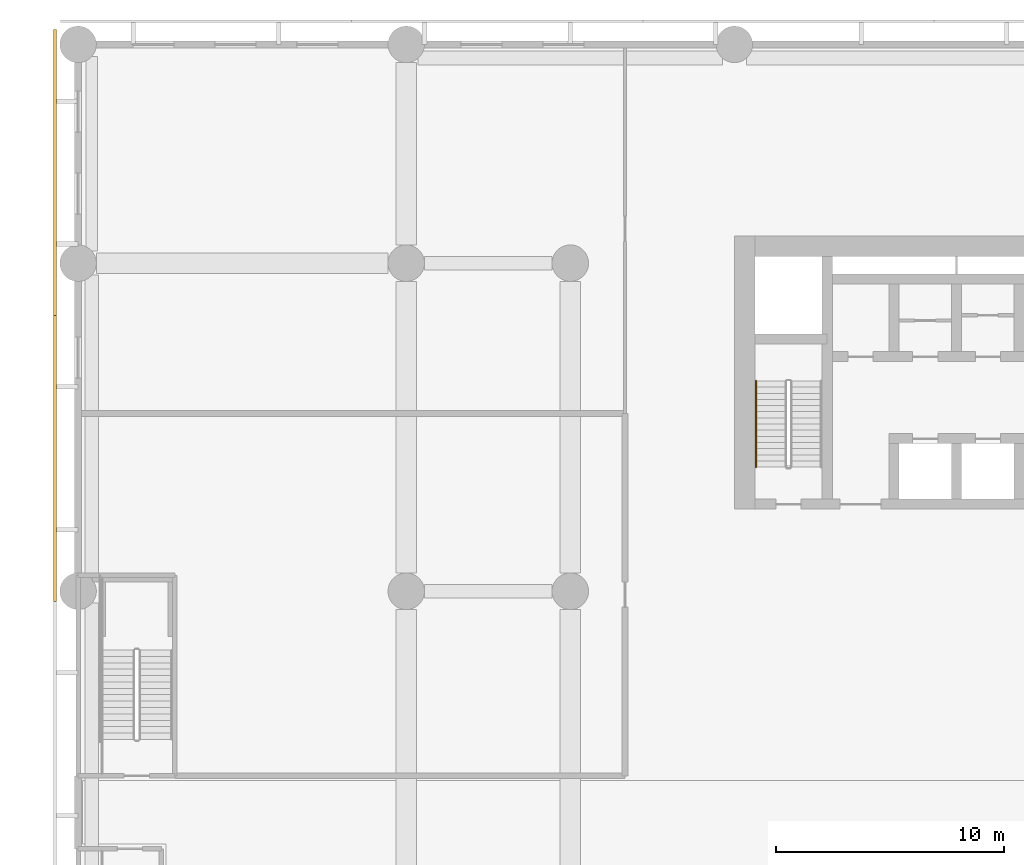
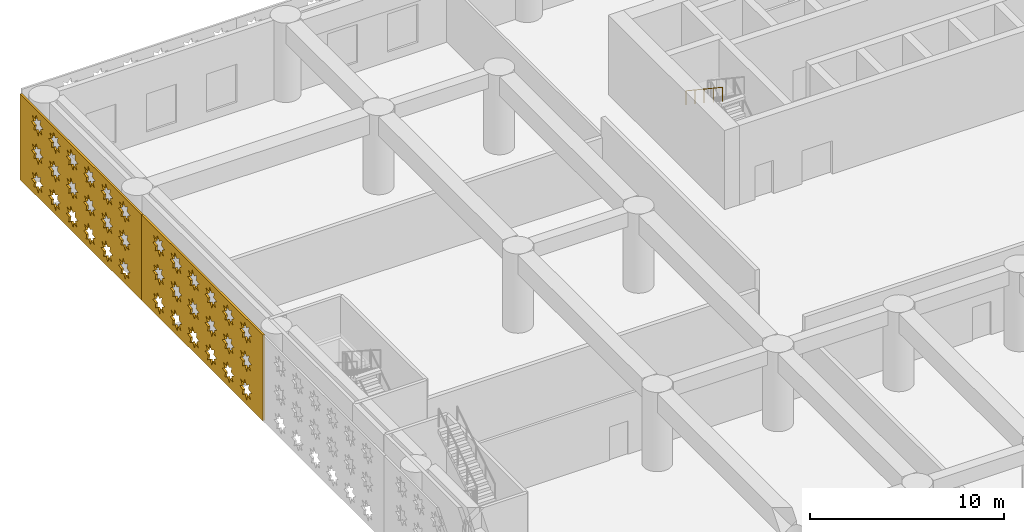
# One storey, part 24 of 30: 2 coverings, 1 railing.
"""IFC4 building model written with IfcOpenShell, lengths in metres."""

from ifc_helpers import new_model, si_unit, direction, frame, origin, origin_2d, place, context, subcontext, project, spatial, polyline, circle, outline, extrude, material, layer, layer_set, type_object, element, save


model = new_model("IFC4")

# Units and contexts
model_context = context("Model", 3, precision=1e-05, world=origin(), true_north=direction((0.0, 1.0)))
body_context = subcontext(model_context, "Body", "Model", "MODEL_VIEW")
ifc_project = project(units=[si_unit("LENGTHUNIT", "METRE"), si_unit("AREAUNIT", "SQUARE_METRE"), si_unit("VOLUMEUNIT", "CUBIC_METRE"), si_unit("PLANEANGLEUNIT", "RADIAN"), si_unit("MASSUNIT", "GRAM", prefix="KILO")], contexts=[model_context])

# Site, building, storey
site_placement = place(None, origin())
site = spatial("IfcSite", under=ifc_project, at=site_placement, CompositionType="ELEMENT")
building_placement = place(site_placement, origin())
building = spatial("IfcBuilding", under=site, at=building_placement, Name="Saffron Iwan Residences", CompositionType="ELEMENT")
storey_placement = place(building_placement, frame((0.0, 0.0, 7.800048828125)))
storey = spatial("IfcBuildingStorey", under=building, at=storey_placement, Name="L01", CompositionType="ELEMENT", Elevation=7.800048828125)

# Coverings
ifc_material_1 = material(Name="Terracotta screen, precast concrete C40/50", Category="masonry")
ifc_layer = layer(ifc_material_1, 0.1201171875)
ifc_layer_set = layer_set([ifc_layer], Name="Terracotta screen, precast concrete C40/50")
covering_type = type_object("IfcCoveringType", Name="PODIUM SCREEN GIRIH", PredefinedType="CLADDING", material=ifc_layer_set)
covering_1_placement = place(storey_placement, frame((-0.949951171875, 87.050048828125, -0.400146484375), z_axis=(-1.0, 0.0, 0.0), x_axis=(0.0, -1.0, 0.0)))
element("IfcCovering", 1, at=covering_1_placement, inside=storey, type_object=covering_type, Name="SCREEN girih terracotta L01 F3.0", PredefinedType="CLADDING", context=body_context, shape_type="SweptSolid", body=[
    extrude(outline(polyline([(0.0, 0.0), (12.545654296875, 0.0), (12.545654296875, 5.39990234375), (0.0, 5.39990234375), (0.0, 0.0)]), holes=[polyline([(2.380859375, 1.02099609375), (2.0556640625, 1.0888671875), (2.1171875, 1.41552734375), (1.839111328125, 1.2333984375), (1.65185546875, 1.508056640625), (1.583984375, 1.1826171875), (1.25732421875, 1.244384765625), (1.439453125, 0.96630859375), (1.164794921875, 0.779052734375), (1.490234375, 0.711181640625), (1.428466796875, 0.384521484375), (1.70654296875, 0.56640625), (1.893798828125, 0.2919921875), (1.9619140625, 0.6171875), (2.288330078125, 0.555419921875), (2.106201171875, 0.833740234375), (2.380859375, 1.02099609375)]), polyline([(2.380859375, 2.821044921875), (2.0556640625, 2.888916015625), (2.1171875, 3.215576171875), (1.839111328125, 3.033447265625), (1.65185546875, 3.30810546875), (1.583984375, 2.982666015625), (1.25732421875, 3.04443359375), (1.439453125, 2.766357421875), (1.164794921875, 2.5791015625), (1.490234375, 2.510986328125), (1.428466796875, 2.1845703125), (1.70654296875, 2.366455078125), (1.893798828125, 2.091796875), (1.9619140625, 2.417236328125), (2.288330078125, 2.35546875), (2.106201171875, 2.6337890625), (2.380859375, 2.821044921875)]), polyline([(2.380859375, 4.62109375), (2.0556640625, 4.68896484375), (2.1171875, 5.015380859375), (1.839111328125, 4.83349609375), (1.65185546875, 5.108154296875), (1.583984375, 4.78271484375), (1.25732421875, 4.844482421875), (1.439453125, 4.56640625), (1.164794921875, 4.37890625), (1.490234375, 4.31103515625), (1.428466796875, 3.984619140625), (1.70654296875, 4.16650390625), (1.893798828125, 3.891845703125), (1.9619140625, 4.21728515625), (2.288330078125, 4.155517578125), (2.106201171875, 4.43359375), (2.380859375, 4.62109375)]), polyline([(4.180908203125, 1.02099609375), (3.855712890625, 1.0888671875), (3.917236328125, 1.41552734375), (3.63916015625, 1.2333984375), (3.451904296875, 1.508056640625), (3.384033203125, 1.1826171875), (3.057373046875, 1.244384765625), (3.239501953125, 0.96630859375), (2.96484375, 0.779052734375), (3.290283203125, 0.711181640625), (3.228515625, 0.384521484375), (3.506591796875, 0.56640625), (3.69384765625, 0.2919921875), (3.76171875, 0.6171875), (4.08837890625, 0.555419921875), (3.90625, 0.833740234375), (4.180908203125, 1.02099609375)]), polyline([(4.180908203125, 2.821044921875), (3.855712890625, 2.888916015625), (3.917236328125, 3.215576171875), (3.63916015625, 3.033447265625), (3.451904296875, 3.30810546875), (3.384033203125, 2.982666015625), (3.057373046875, 3.04443359375), (3.239501953125, 2.766357421875), (2.96484375, 2.5791015625), (3.290283203125, 2.510986328125), (3.228515625, 2.1845703125), (3.506591796875, 2.366455078125), (3.69384765625, 2.091796875), (3.76171875, 2.417236328125), (4.08837890625, 2.35546875), (3.90625, 2.6337890625), (4.180908203125, 2.821044921875)]), polyline([(4.180908203125, 4.62109375), (3.855712890625, 4.68896484375), (3.917236328125, 5.015380859375), (3.63916015625, 4.83349609375), (3.451904296875, 5.108154296875), (3.384033203125, 4.78271484375), (3.057373046875, 4.844482421875), (3.239501953125, 4.56640625), (2.96484375, 4.37890625), (3.290283203125, 4.31103515625), (3.228515625, 3.984619140625), (3.506591796875, 4.16650390625), (3.69384765625, 3.891845703125), (3.76171875, 4.21728515625), (4.08837890625, 4.155517578125), (3.90625, 4.43359375), (4.180908203125, 4.62109375)]), polyline([(5.98095703125, 1.02099609375), (5.655517578125, 1.0888671875), (5.71728515625, 1.41552734375), (5.439208984375, 1.2333984375), (5.251953125, 1.508056640625), (5.18408203125, 1.1826171875), (4.857421875, 1.244384765625), (5.039306640625, 0.96630859375), (4.764892578125, 0.779052734375), (5.090087890625, 0.711181640625), (5.0283203125, 0.384521484375), (5.306396484375, 0.56640625), (5.493896484375, 0.2919921875), (5.561767578125, 0.6171875), (5.888427734375, 0.555419921875), (5.706298828125, 0.833740234375), (5.98095703125, 1.02099609375)]), polyline([(5.98095703125, 2.821044921875), (5.655517578125, 2.888916015625), (5.71728515625, 3.215576171875), (5.439208984375, 3.033447265625), (5.251953125, 3.30810546875), (5.18408203125, 2.982666015625), (4.857421875, 3.04443359375), (5.039306640625, 2.766357421875), (4.764892578125, 2.5791015625), (5.090087890625, 2.510986328125), (5.0283203125, 2.1845703125), (5.306396484375, 2.366455078125), (5.493896484375, 2.091796875), (5.561767578125, 2.417236328125), (5.888427734375, 2.35546875), (5.706298828125, 2.6337890625), (5.98095703125, 2.821044921875)]), polyline([(5.98095703125, 4.62109375), (5.655517578125, 4.68896484375), (5.71728515625, 5.015380859375), (5.439208984375, 4.83349609375), (5.251953125, 5.108154296875), (5.18408203125, 4.78271484375), (4.857421875, 4.844482421875), (5.039306640625, 4.56640625), (4.764892578125, 4.37890625), (5.090087890625, 4.31103515625), (5.0283203125, 3.984619140625), (5.306396484375, 4.16650390625), (5.493896484375, 3.891845703125), (5.561767578125, 4.21728515625), (5.888427734375, 4.155517578125), (5.706298828125, 4.43359375), (5.98095703125, 4.62109375)]), polyline([(7.781005859375, 1.02099609375), (7.45556640625, 1.0888671875), (7.517333984375, 1.41552734375), (7.2392578125, 1.2333984375), (7.052001953125, 1.508056640625), (6.98388671875, 1.1826171875), (6.6572265625, 1.244384765625), (6.83935546875, 0.96630859375), (6.564697265625, 0.779052734375), (6.89013671875, 0.711181640625), (6.828369140625, 0.384521484375), (7.1064453125, 0.56640625), (7.293701171875, 0.2919921875), (7.36181640625, 0.6171875), (7.6884765625, 0.555419921875), (7.50634765625, 0.833740234375), (7.781005859375, 1.02099609375)]), polyline([(7.781005859375, 2.821044921875), (7.45556640625, 2.888916015625), (7.517333984375, 3.215576171875), (7.2392578125, 3.033447265625), (7.052001953125, 3.30810546875), (6.98388671875, 2.982666015625), (6.6572265625, 3.04443359375), (6.83935546875, 2.766357421875), (6.564697265625, 2.5791015625), (6.89013671875, 2.510986328125), (6.828369140625, 2.1845703125), (7.1064453125, 2.366455078125), (7.293701171875, 2.091796875), (7.36181640625, 2.417236328125), (7.6884765625, 2.35546875), (7.50634765625, 2.6337890625), (7.781005859375, 2.821044921875)]), polyline([(7.781005859375, 4.62109375), (7.45556640625, 4.68896484375), (7.517333984375, 5.015380859375), (7.2392578125, 4.83349609375), (7.052001953125, 5.108154296875), (6.98388671875, 4.78271484375), (6.6572265625, 4.844482421875), (6.83935546875, 4.56640625), (6.564697265625, 4.37890625), (6.89013671875, 4.31103515625), (6.828369140625, 3.984619140625), (7.1064453125, 4.16650390625), (7.293701171875, 3.891845703125), (7.36181640625, 4.21728515625), (7.6884765625, 4.155517578125), (7.50634765625, 4.43359375), (7.781005859375, 4.62109375)]), polyline([(9.580810546875, 1.02099609375), (9.255615234375, 1.0888671875), (9.3173828125, 1.41552734375), (9.039306640625, 1.2333984375), (8.851806640625, 1.508056640625), (8.783935546875, 1.1826171875), (8.457275390625, 1.244384765625), (8.639404296875, 0.96630859375), (8.36474609375, 0.779052734375), (8.690185546875, 0.711181640625), (8.62841796875, 0.384521484375), (8.906494140625, 0.56640625), (9.09375, 0.2919921875), (9.161865234375, 0.6171875), (9.48828125, 0.555419921875), (9.306396484375, 0.833740234375), (9.580810546875, 1.02099609375)]), polyline([(9.580810546875, 2.821044921875), (9.255615234375, 2.888916015625), (9.3173828125, 3.215576171875), (9.039306640625, 3.033447265625), (8.851806640625, 3.30810546875), (8.783935546875, 2.982666015625), (8.457275390625, 3.04443359375), (8.639404296875, 2.766357421875), (8.36474609375, 2.5791015625), (8.690185546875, 2.510986328125), (8.62841796875, 2.1845703125), (8.906494140625, 2.366455078125), (9.09375, 2.091796875), (9.161865234375, 2.417236328125), (9.48828125, 2.35546875), (9.306396484375, 2.6337890625), (9.580810546875, 2.821044921875)]), polyline([(9.580810546875, 4.62109375), (9.255615234375, 4.68896484375), (9.3173828125, 5.015380859375), (9.039306640625, 4.83349609375), (8.851806640625, 5.108154296875), (8.783935546875, 4.78271484375), (8.457275390625, 4.844482421875), (8.639404296875, 4.56640625), (8.36474609375, 4.37890625), (8.690185546875, 4.31103515625), (8.62841796875, 3.984619140625), (8.906494140625, 4.16650390625), (9.09375, 3.891845703125), (9.161865234375, 4.21728515625), (9.48828125, 4.155517578125), (9.306396484375, 4.43359375), (9.580810546875, 4.62109375)]), polyline([(11.380859375, 1.02099609375), (11.0556640625, 1.0888671875), (11.1171875, 1.41552734375), (10.839111328125, 1.2333984375), (10.65185546875, 1.508056640625), (10.583984375, 1.1826171875), (10.25732421875, 1.244384765625), (10.439453125, 0.96630859375), (10.164794921875, 0.779052734375), (10.490234375, 0.711181640625), (10.428466796875, 0.384521484375), (10.70654296875, 0.56640625), (10.893798828125, 0.2919921875), (10.9619140625, 0.6171875), (11.288330078125, 0.555419921875), (11.106201171875, 0.833740234375), (11.380859375, 1.02099609375)]), polyline([(11.380859375, 2.821044921875), (11.0556640625, 2.888916015625), (11.1171875, 3.215576171875), (10.839111328125, 3.033447265625), (10.65185546875, 3.30810546875), (10.583984375, 2.982666015625), (10.25732421875, 3.04443359375), (10.439453125, 2.766357421875), (10.164794921875, 2.5791015625), (10.490234375, 2.510986328125), (10.428466796875, 2.1845703125), (10.70654296875, 2.366455078125), (10.893798828125, 2.091796875), (10.9619140625, 2.417236328125), (11.288330078125, 2.35546875), (11.106201171875, 2.6337890625), (11.380859375, 2.821044921875)]), polyline([(11.380859375, 4.62109375), (11.0556640625, 4.68896484375), (11.1171875, 5.015380859375), (10.839111328125, 4.83349609375), (10.65185546875, 5.108154296875), (10.583984375, 4.78271484375), (10.25732421875, 4.844482421875), (10.439453125, 4.56640625), (10.164794921875, 4.37890625), (10.490234375, 4.31103515625), (10.428466796875, 3.984619140625), (10.70654296875, 4.16650390625), (10.893798828125, 3.891845703125), (10.9619140625, 4.21728515625), (11.288330078125, 4.155517578125), (11.106201171875, 4.43359375), (11.380859375, 4.62109375)])]), origin(), (0.0, 0.0, 1.0), 0.1201171875),
])
covering_2_placement = place(storey_placement, frame((-0.949951171875, 74.50439453125, -0.400146484375), z_axis=(-1.0, 0.0, 0.0), x_axis=(0.0, -1.0, 0.0)))
element("IfcCovering", 2, at=covering_2_placement, inside=storey, type_object=covering_type, Name="SCREEN girih terracotta L01 F3.1", PredefinedType="CLADDING", context=body_context, shape_type="SweptSolid", body=[
    extrude(outline(polyline([(0.0, 0.0), (12.545654296875, 0.0), (12.545654296875, 5.39990234375), (0.0, 5.39990234375), (0.0, 0.0)]), holes=[polyline([(2.380859375, 1.02099609375), (2.0556640625, 1.0888671875), (2.1171875, 1.41552734375), (1.839111328125, 1.2333984375), (1.65185546875, 1.508056640625), (1.583984375, 1.1826171875), (1.25732421875, 1.244384765625), (1.439453125, 0.96630859375), (1.164794921875, 0.779052734375), (1.490234375, 0.711181640625), (1.428466796875, 0.384521484375), (1.70654296875, 0.56640625), (1.893798828125, 0.2919921875), (1.9619140625, 0.6171875), (2.288330078125, 0.555419921875), (2.106201171875, 0.833740234375), (2.380859375, 1.02099609375)]), polyline([(2.380859375, 2.821044921875), (2.0556640625, 2.888916015625), (2.1171875, 3.215576171875), (1.839111328125, 3.033447265625), (1.65185546875, 3.30810546875), (1.583984375, 2.982666015625), (1.25732421875, 3.04443359375), (1.439453125, 2.766357421875), (1.164794921875, 2.5791015625), (1.490234375, 2.510986328125), (1.428466796875, 2.1845703125), (1.70654296875, 2.366455078125), (1.893798828125, 2.091796875), (1.9619140625, 2.417236328125), (2.288330078125, 2.35546875), (2.106201171875, 2.6337890625), (2.380859375, 2.821044921875)]), polyline([(2.380859375, 4.62109375), (2.0556640625, 4.68896484375), (2.1171875, 5.015380859375), (1.839111328125, 4.83349609375), (1.65185546875, 5.108154296875), (1.583984375, 4.78271484375), (1.25732421875, 4.844482421875), (1.439453125, 4.56640625), (1.164794921875, 4.37890625), (1.490234375, 4.31103515625), (1.428466796875, 3.984619140625), (1.70654296875, 4.16650390625), (1.893798828125, 3.891845703125), (1.9619140625, 4.21728515625), (2.288330078125, 4.155517578125), (2.106201171875, 4.43359375), (2.380859375, 4.62109375)]), polyline([(4.180908203125, 1.02099609375), (3.855712890625, 1.0888671875), (3.917236328125, 1.41552734375), (3.63916015625, 1.2333984375), (3.451904296875, 1.508056640625), (3.384033203125, 1.1826171875), (3.057373046875, 1.244384765625), (3.239501953125, 0.96630859375), (2.96484375, 0.779052734375), (3.290283203125, 0.711181640625), (3.228515625, 0.384521484375), (3.506591796875, 0.56640625), (3.69384765625, 0.2919921875), (3.76171875, 0.6171875), (4.08837890625, 0.555419921875), (3.90625, 0.833740234375), (4.180908203125, 1.02099609375)]), polyline([(4.180908203125, 2.821044921875), (3.855712890625, 2.888916015625), (3.917236328125, 3.215576171875), (3.63916015625, 3.033447265625), (3.451904296875, 3.30810546875), (3.384033203125, 2.982666015625), (3.057373046875, 3.04443359375), (3.239501953125, 2.766357421875), (2.96484375, 2.5791015625), (3.290283203125, 2.510986328125), (3.228515625, 2.1845703125), (3.506591796875, 2.366455078125), (3.69384765625, 2.091796875), (3.76171875, 2.417236328125), (4.08837890625, 2.35546875), (3.90625, 2.6337890625), (4.180908203125, 2.821044921875)]), polyline([(4.180908203125, 4.62109375), (3.855712890625, 4.68896484375), (3.917236328125, 5.015380859375), (3.63916015625, 4.83349609375), (3.451904296875, 5.108154296875), (3.384033203125, 4.78271484375), (3.057373046875, 4.844482421875), (3.239501953125, 4.56640625), (2.96484375, 4.37890625), (3.290283203125, 4.31103515625), (3.228515625, 3.984619140625), (3.506591796875, 4.16650390625), (3.69384765625, 3.891845703125), (3.76171875, 4.21728515625), (4.08837890625, 4.155517578125), (3.90625, 4.43359375), (4.180908203125, 4.62109375)]), polyline([(5.98095703125, 1.02099609375), (5.655517578125, 1.0888671875), (5.71728515625, 1.41552734375), (5.439208984375, 1.2333984375), (5.251953125, 1.508056640625), (5.18408203125, 1.1826171875), (4.857421875, 1.244384765625), (5.039306640625, 0.96630859375), (4.764892578125, 0.779052734375), (5.090087890625, 0.711181640625), (5.0283203125, 0.384521484375), (5.306396484375, 0.56640625), (5.493896484375, 0.2919921875), (5.561767578125, 0.6171875), (5.888427734375, 0.555419921875), (5.706298828125, 0.833740234375), (5.98095703125, 1.02099609375)]), polyline([(5.98095703125, 2.821044921875), (5.655517578125, 2.888916015625), (5.71728515625, 3.215576171875), (5.439208984375, 3.033447265625), (5.251953125, 3.30810546875), (5.18408203125, 2.982666015625), (4.857421875, 3.04443359375), (5.039306640625, 2.766357421875), (4.764892578125, 2.5791015625), (5.090087890625, 2.510986328125), (5.0283203125, 2.1845703125), (5.306396484375, 2.366455078125), (5.493896484375, 2.091796875), (5.561767578125, 2.417236328125), (5.888427734375, 2.35546875), (5.706298828125, 2.6337890625), (5.98095703125, 2.821044921875)]), polyline([(5.98095703125, 4.62109375), (5.655517578125, 4.68896484375), (5.71728515625, 5.015380859375), (5.439208984375, 4.83349609375), (5.251953125, 5.108154296875), (5.18408203125, 4.78271484375), (4.857421875, 4.844482421875), (5.039306640625, 4.56640625), (4.764892578125, 4.37890625), (5.090087890625, 4.31103515625), (5.0283203125, 3.984619140625), (5.306396484375, 4.16650390625), (5.493896484375, 3.891845703125), (5.561767578125, 4.21728515625), (5.888427734375, 4.155517578125), (5.706298828125, 4.43359375), (5.98095703125, 4.62109375)]), polyline([(7.781005859375, 1.02099609375), (7.45556640625, 1.0888671875), (7.517333984375, 1.41552734375), (7.2392578125, 1.2333984375), (7.052001953125, 1.508056640625), (6.98388671875, 1.1826171875), (6.6572265625, 1.244384765625), (6.83935546875, 0.96630859375), (6.564697265625, 0.779052734375), (6.89013671875, 0.711181640625), (6.828369140625, 0.384521484375), (7.1064453125, 0.56640625), (7.293701171875, 0.2919921875), (7.36181640625, 0.6171875), (7.6884765625, 0.555419921875), (7.50634765625, 0.833740234375), (7.781005859375, 1.02099609375)]), polyline([(7.781005859375, 2.821044921875), (7.45556640625, 2.888916015625), (7.517333984375, 3.215576171875), (7.2392578125, 3.033447265625), (7.052001953125, 3.30810546875), (6.98388671875, 2.982666015625), (6.6572265625, 3.04443359375), (6.83935546875, 2.766357421875), (6.564697265625, 2.5791015625), (6.89013671875, 2.510986328125), (6.828369140625, 2.1845703125), (7.1064453125, 2.366455078125), (7.293701171875, 2.091796875), (7.36181640625, 2.417236328125), (7.6884765625, 2.35546875), (7.50634765625, 2.6337890625), (7.781005859375, 2.821044921875)]), polyline([(7.781005859375, 4.62109375), (7.45556640625, 4.68896484375), (7.517333984375, 5.015380859375), (7.2392578125, 4.83349609375), (7.052001953125, 5.108154296875), (6.98388671875, 4.78271484375), (6.6572265625, 4.844482421875), (6.83935546875, 4.56640625), (6.564697265625, 4.37890625), (6.89013671875, 4.31103515625), (6.828369140625, 3.984619140625), (7.1064453125, 4.16650390625), (7.293701171875, 3.891845703125), (7.36181640625, 4.21728515625), (7.6884765625, 4.155517578125), (7.50634765625, 4.43359375), (7.781005859375, 4.62109375)]), polyline([(9.580810546875, 1.02099609375), (9.255615234375, 1.0888671875), (9.3173828125, 1.41552734375), (9.039306640625, 1.2333984375), (8.851806640625, 1.508056640625), (8.783935546875, 1.1826171875), (8.457275390625, 1.244384765625), (8.639404296875, 0.96630859375), (8.36474609375, 0.779052734375), (8.690185546875, 0.711181640625), (8.62841796875, 0.384521484375), (8.906494140625, 0.56640625), (9.09375, 0.2919921875), (9.161865234375, 0.6171875), (9.48828125, 0.555419921875), (9.306396484375, 0.833740234375), (9.580810546875, 1.02099609375)]), polyline([(9.580810546875, 2.821044921875), (9.255615234375, 2.888916015625), (9.3173828125, 3.215576171875), (9.039306640625, 3.033447265625), (8.851806640625, 3.30810546875), (8.783935546875, 2.982666015625), (8.457275390625, 3.04443359375), (8.639404296875, 2.766357421875), (8.36474609375, 2.5791015625), (8.690185546875, 2.510986328125), (8.62841796875, 2.1845703125), (8.906494140625, 2.366455078125), (9.09375, 2.091796875), (9.161865234375, 2.417236328125), (9.48828125, 2.35546875), (9.306396484375, 2.6337890625), (9.580810546875, 2.821044921875)]), polyline([(9.580810546875, 4.62109375), (9.255615234375, 4.68896484375), (9.3173828125, 5.015380859375), (9.039306640625, 4.83349609375), (8.851806640625, 5.108154296875), (8.783935546875, 4.78271484375), (8.457275390625, 4.844482421875), (8.639404296875, 4.56640625), (8.36474609375, 4.37890625), (8.690185546875, 4.31103515625), (8.62841796875, 3.984619140625), (8.906494140625, 4.16650390625), (9.09375, 3.891845703125), (9.161865234375, 4.21728515625), (9.48828125, 4.155517578125), (9.306396484375, 4.43359375), (9.580810546875, 4.62109375)]), polyline([(11.380859375, 1.02099609375), (11.0556640625, 1.0888671875), (11.1171875, 1.41552734375), (10.839111328125, 1.2333984375), (10.65185546875, 1.508056640625), (10.583984375, 1.1826171875), (10.25732421875, 1.244384765625), (10.439453125, 0.96630859375), (10.164794921875, 0.779052734375), (10.490234375, 0.711181640625), (10.428466796875, 0.384521484375), (10.70654296875, 0.56640625), (10.893798828125, 0.2919921875), (10.9619140625, 0.6171875), (11.288330078125, 0.555419921875), (11.106201171875, 0.833740234375), (11.380859375, 1.02099609375)]), polyline([(11.380859375, 2.821044921875), (11.0556640625, 2.888916015625), (11.1171875, 3.215576171875), (10.839111328125, 3.033447265625), (10.65185546875, 3.30810546875), (10.583984375, 2.982666015625), (10.25732421875, 3.04443359375), (10.439453125, 2.766357421875), (10.164794921875, 2.5791015625), (10.490234375, 2.510986328125), (10.428466796875, 2.1845703125), (10.70654296875, 2.366455078125), (10.893798828125, 2.091796875), (10.9619140625, 2.417236328125), (11.288330078125, 2.35546875), (11.106201171875, 2.6337890625), (11.380859375, 2.821044921875)]), polyline([(11.380859375, 4.62109375), (11.0556640625, 4.68896484375), (11.1171875, 5.015380859375), (10.839111328125, 4.83349609375), (10.65185546875, 5.108154296875), (10.583984375, 4.78271484375), (10.25732421875, 4.844482421875), (10.439453125, 4.56640625), (10.164794921875, 4.37890625), (10.490234375, 4.31103515625), (10.428466796875, 3.984619140625), (10.70654296875, 4.16650390625), (10.893798828125, 3.891845703125), (10.9619140625, 4.21728515625), (11.288330078125, 4.155517578125), (11.106201171875, 4.43359375), (11.380859375, 4.62109375)])]), origin(), (0.0, 0.0, 1.0), 0.1201171875),
])

# Railing
ifc_material_2 = material(Name="Stainless steel 316", Category="steel")
railing_type = type_object("IfcRailingType", Name="Stair handrail 900", PredefinedType="HANDRAIL", material=ifc_material_2)
railing_placement = place(storey_placement, frame((29.75, 71.6298828125, 2.8798828125)))
element("IfcRailing", 3, at=railing_placement, inside=storey, type_object=railing_type, Name="L01 ST-W stair handrail 2", PredefinedType="HANDRAIL", context=body_context, shape_type="SweptSolid", body=[
    extrude(circle(Radius=0.02392578125, at=origin_2d()), frame((0.0, 0.0, 0.8759765625), z_axis=(0.0, -0.832033757966, 0.554724999982), x_axis=(1.0, 0.0, 0.0)), (0.0, 0.0, 1.0), 4.542724609375),
    extrude(circle(Radius=0.02099609375, at=origin_2d()), origin(), (0.0, 0.0, 1.0), 0.851806640625),
    extrude(circle(Radius=0.02099609375, at=origin_2d()), frame((0.0, -0.94482421875, 0.6298828125)), (0.0, 0.0, 1.0), 0.851806640625),
    extrude(circle(Radius=0.02099609375, at=origin_2d()), frame((0.0, -1.889892578125, 1.260009765625)), (0.0, 0.0, 1.0), 0.851806640625),
    extrude(circle(Radius=0.02099609375, at=origin_2d()), frame((0.0, -2.8349609375, 1.89013671875)), (0.0, 0.0, 1.0), 0.851806640625),
    extrude(circle(Radius=0.02099609375, at=origin_2d()), frame((0.0, -3.77978515625, 2.52001953125)), (0.0, 0.0, 1.0), 0.851806640625),
])

save(model, "model.ifc")
